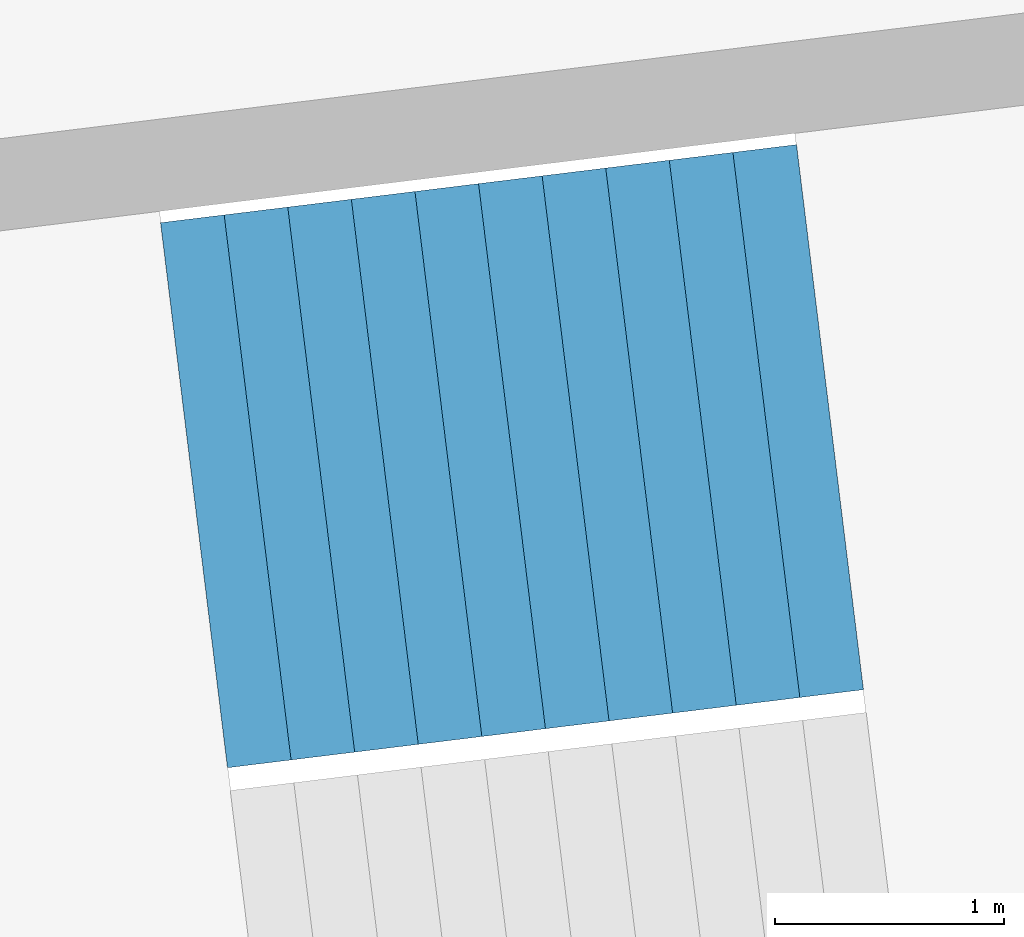
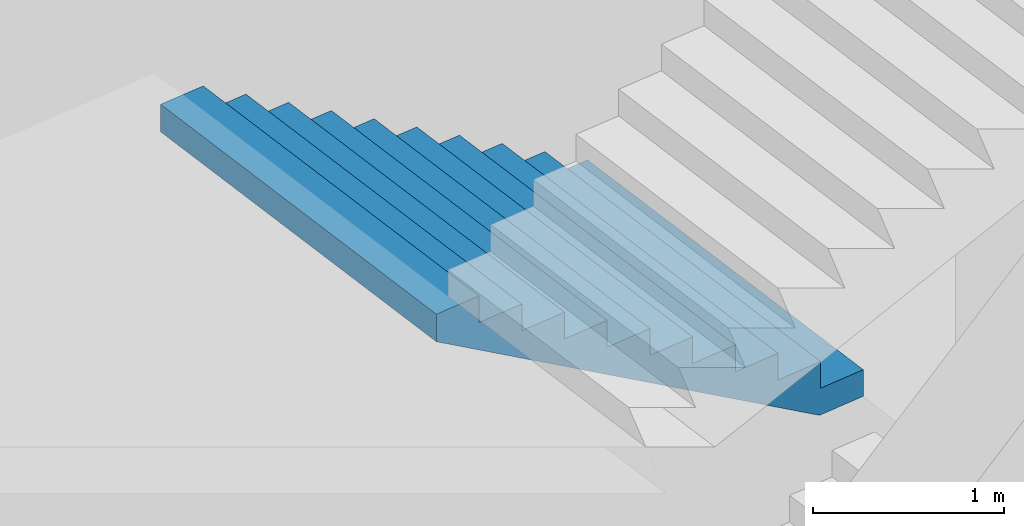
# One storey, part 25 of 73: 1 stair flight, 1 element without a shape of its own.
"""IFC4 building model written with IfcOpenShell, lengths in metres."""

from ifc_helpers import new_model, si_unit, direction, frame, origin, place, context, subcontext, project, spatial, triangles, material, type_object, element, aggregate, save


model = new_model("IFC4")

# Units and contexts
model_context = context("Model", 3, precision=1e-05, world=origin(), true_north=direction((0.0, 1.0)))
body_context = subcontext(model_context, "Body", "Model", "MODEL_VIEW")
ifc_project = project(units=[si_unit("LENGTHUNIT", "METRE"), si_unit("AREAUNIT", "SQUARE_METRE"), si_unit("VOLUMEUNIT", "CUBIC_METRE"), si_unit("PLANEANGLEUNIT", "RADIAN"), si_unit("MASSUNIT", "GRAM", prefix="KILO")], contexts=[model_context])

# Site, building, storey
site_placement = place(None, origin())
site = spatial("IfcSite", under=ifc_project, at=site_placement, CompositionType="ELEMENT")
building_placement = place(site_placement, origin())
building = spatial("IfcBuilding", under=site, at=building_placement, Name="Lantaw Convention Tower", CompositionType="ELEMENT")
storey_placement = place(building_placement, frame((0.0, 0.0, 14.5)))
storey = spatial("IfcBuildingStorey", under=building, at=storey_placement, Name="L02", CompositionType="ELEMENT", Elevation=14.5)

# Stair, stair flight
ifc_material = material(Name="Concrete C35/45", Category="concrete")
stair_type = type_object("IfcStairType", Name="Exit stair 2400 riser 170.45 in 4 flights", PredefinedType="HALF_TURN_STAIR", material=ifc_material)
stair_placement = place(storey_placement, origin())
stair = element("IfcStair", 1, at=stair_placement, inside=storey, type_object=stair_type, Name="Podium exit stair P10 L02", PredefinedType="HALF_TURN_STAIR")
stair_flight_type = type_object("IfcStairFlightType", Name="Stair flight 2400 riser 170.45", PredefinedType="STRAIGHT", material=ifc_material)
stair_flight_placement = place(storey_placement, frame((-35.162109375, -3.057861328125, 3.75), z_axis=(0.0, 0.0, 1.0), x_axis=(-0.992546151641, -0.121869343405, 0.0)))
stair_flight = element("IfcStairFlight", 2, at=stair_flight_placement, type_object=stair_flight_type, Name="P10 flight 3", NumberOfRisers=11, NumberOfTreads=10, PredefinedType="STRAIGHT", RiserHeight=0.170454545, TreadLength=0.28, context=body_context, shape_type="Tessellation", body=[
    triangles([(0.0, 1.199951171875, 0.0), (0.0, 1.199951171875, 0.170454545), (0.28, 1.199951171875, 0.0), (0.28, 1.199951171875, 0.170454545), (0.28, 1.199951171875, 0.34090909), (0.28827876332691904, 1.199951171875, 0.0), (0.28827876332691904, 1.199951171875, 0.34090909), (0.56, 1.199951171875, 0.16541471344266906), (0.56, 1.199951171875, 0.34090909), (0.56, 1.199951171875, 0.511363635), (0.8400000000000001, 1.199951171875, 0.335869258442669), (0.8400000000000001, 1.199951171875, 0.511363635), (0.8400000000000001, 1.199951171875, 0.68181818), (1.12, 1.199951171875, 0.506323803442669), (1.12, 1.199951171875, 0.68181818), (1.12, 1.199951171875, 0.8522727250000001), (1.4000000000000001, 1.199951171875, 0.676778348442669), (1.4000000000000001, 1.199951171875, 0.8522727250000001), (1.4000000000000001, 1.199951171875, 1.02272727), (1.6800000000000002, 1.199951171875, 0.847232893442669), (1.6800000000000002, 1.199951171875, 1.02272727), (1.6800000000000002, 1.199951171875, 1.193181815), (1.9600000000000002, 1.199951171875, 1.017687438442669), (1.9600000000000002, 1.199951171875, 1.193181815), (1.9600000000000002, 1.199951171875, 1.36363636), (2.24, 1.199951171875, 1.188141983442669), (2.24, 1.199951171875, 1.36363636), (2.24, 1.199951171875, 1.5340909050000002), (2.5200000000000005, 1.199951171875, 1.358596528442669), (2.5200000000000005, 1.199951171875, 1.5340909050000002), (2.5200000000000005, 1.199951171875, 1.7045454500000001), (2.8000000000000003, 1.199951171875, 1.529051073442669), (2.8000000000000003, 1.199951171875, 1.7045454500000001), (0.0, -1.199951171875, 0.0), (0.0, -1.199951171875, 0.170454545), (0.28, -1.199951171875, 0.0), (0.28, -1.199951171875, 0.170454545), (0.28, -1.199951171875, 0.34090909), (0.28827876332691904, -1.199951171875, 0.0), (0.28827876332691904, -1.199951171875, 0.34090909), (0.56, -1.199951171875, 0.16541471344266906), (0.56, -1.199951171875, 0.34090909), (0.56, -1.199951171875, 0.511363635), (0.8400000000000001, -1.199951171875, 0.335869258442669), (0.8400000000000001, -1.199951171875, 0.511363635), (0.8400000000000001, -1.199951171875, 0.68181818), (1.12, -1.199951171875, 0.506323803442669), (1.12, -1.199951171875, 0.68181818), (1.12, -1.199951171875, 0.8522727250000001), (1.4000000000000001, -1.199951171875, 0.676778348442669), (1.4000000000000001, -1.199951171875, 0.8522727250000001), (1.4000000000000001, -1.199951171875, 1.02272727), (1.6800000000000002, -1.199951171875, 0.847232893442669), (1.6800000000000002, -1.199951171875, 1.02272727), (1.6800000000000002, -1.199951171875, 1.193181815), (1.9600000000000002, -1.199951171875, 1.017687438442669), (1.9600000000000002, -1.199951171875, 1.193181815), (1.9600000000000002, -1.199951171875, 1.36363636), (2.24, -1.199951171875, 1.188141983442669), (2.24, -1.199951171875, 1.36363636), (2.24, -1.199951171875, 1.5340909050000002), (2.5200000000000005, -1.199951171875, 1.358596528442669), (2.5200000000000005, -1.199951171875, 1.5340909050000002), (2.5200000000000005, -1.199951171875, 1.7045454500000001), (2.8000000000000003, -1.199951171875, 1.529051073442669), (2.8000000000000003, -1.199951171875, 1.7045454500000001), (0.0, 0.239990234375, 0.170454545), (0.0, 0.239990234375, 0.0), (0.0, 0.1199951171875, 0.170454545), (0.0, 0.1199951171875, 0.0), (0.0, 0.0, 0.170454545), (0.0, 0.0, 0.0), (0.0, -0.1199951171875, 0.170454545), (0.0, -0.1199951171875, 0.0), (0.0, -0.239990234375, 0.170454545), (0.0, -0.239990234375, 0.0), (0.28, 0.239990234375, 0.34090909), (0.28, 0.239990234375, 0.170454545), (0.28, 0.1199951171875, 0.34090909), (0.28, 0.1199951171875, 0.170454545), (0.28, 0.0, 0.34090909), (0.28, 0.0, 0.170454545), (0.28, -0.1199951171875, 0.34090909), (0.28, -0.1199951171875, 0.170454545), (0.28, -0.239990234375, 0.34090909), (0.28, -0.239990234375, 0.170454545), (0.56, 0.239990234375, 0.511363635), (0.56, 0.239990234375, 0.34090909), (0.56, 0.1199951171875, 0.511363635), (0.56, 0.1199951171875, 0.34090909), (0.56, 0.0, 0.511363635), (0.56, 0.0, 0.34090909), (0.56, -0.1199951171875, 0.511363635), (0.56, -0.1199951171875, 0.34090909), (0.56, -0.239990234375, 0.511363635), (0.56, -0.239990234375, 0.34090909), (0.8400000000000001, 0.239990234375, 0.68181818), (0.8400000000000001, 0.239990234375, 0.511363635), (0.8400000000000001, 0.1199951171875, 0.68181818), (0.8400000000000001, 0.1199951171875, 0.511363635), (0.8400000000000001, 0.0, 0.68181818), (0.8400000000000001, 0.0, 0.511363635), (0.8400000000000001, -0.1199951171875, 0.68181818), (0.8400000000000001, -0.1199951171875, 0.511363635), (0.8400000000000001, -0.239990234375, 0.68181818), (0.8400000000000001, -0.239990234375, 0.511363635), (1.12, 0.239990234375, 0.8522727250000001), (1.12, 0.239990234375, 0.68181818), (1.12, 0.1199951171875, 0.8522727250000001), (1.12, 0.1199951171875, 0.68181818), (1.12, 0.0, 0.8522727250000001), (1.12, 0.0, 0.68181818), (1.12, -0.1199951171875, 0.8522727250000001), (1.12, -0.1199951171875, 0.68181818), (1.12, -0.239990234375, 0.8522727250000001), (1.12, -0.239990234375, 0.68181818), (1.4000000000000001, 0.239990234375, 1.02272727), (1.4000000000000001, 0.239990234375, 0.8522727250000001), (1.4000000000000001, 0.1199951171875, 1.02272727), (1.4000000000000001, 0.1199951171875, 0.8522727250000001), (1.4000000000000001, 0.0, 1.02272727), (1.4000000000000001, 0.0, 0.8522727250000001), (1.4000000000000001, -0.1199951171875, 1.02272727), (1.4000000000000001, -0.1199951171875, 0.8522727250000001), (1.4000000000000001, -0.239990234375, 1.02272727), (1.4000000000000001, -0.239990234375, 0.8522727250000001), (1.6800000000000002, 0.239990234375, 1.193181815), (1.6800000000000002, 0.239990234375, 1.02272727), (1.6800000000000002, 0.1199951171875, 1.193181815), (1.6800000000000002, 0.1199951171875, 1.02272727), (1.6800000000000002, 0.0, 1.193181815), (1.6800000000000002, 0.0, 1.02272727), (1.6800000000000002, -0.1199951171875, 1.193181815), (1.6800000000000002, -0.1199951171875, 1.02272727), (1.6800000000000002, -0.239990234375, 1.193181815), (1.6800000000000002, -0.239990234375, 1.02272727), (1.9600000000000002, 0.239990234375, 1.36363636), (1.9600000000000002, 0.239990234375, 1.193181815), (1.9600000000000002, 0.1199951171875, 1.36363636), (1.9600000000000002, 0.1199951171875, 1.193181815), (1.9600000000000002, 0.0, 1.36363636), (1.9600000000000002, 0.0, 1.193181815), (1.9600000000000002, -0.1199951171875, 1.36363636), (1.9600000000000002, -0.1199951171875, 1.193181815), (1.9600000000000002, -0.239990234375, 1.36363636), (1.9600000000000002, -0.239990234375, 1.193181815), (2.24, 0.239990234375, 1.5340909050000002), (2.24, 0.239990234375, 1.36363636), (2.24, 0.1199951171875, 1.5340909050000002), (2.24, 0.1199951171875, 1.36363636), (2.24, 0.0, 1.5340909050000002), (2.24, 0.0, 1.36363636), (2.24, -0.1199951171875, 1.5340909050000002), (2.24, -0.1199951171875, 1.36363636), (2.24, -0.239990234375, 1.5340909050000002), (2.24, -0.239990234375, 1.36363636), (2.5200000000000005, 0.239990234375, 1.7045454500000001), (2.5200000000000005, 0.239990234375, 1.5340909050000002), (2.5200000000000005, 0.1199951171875, 1.7045454500000001), (2.5200000000000005, 0.1199951171875, 1.5340909050000002), (2.5200000000000005, 0.0, 1.7045454500000001), (2.5200000000000005, 0.0, 1.5340909050000002), (2.5200000000000005, -0.1199951171875, 1.7045454500000001), (2.5200000000000005, -0.1199951171875, 1.5340909050000002), (2.5200000000000005, -0.239990234375, 1.7045454500000001), (2.5200000000000005, -0.239990234375, 1.5340909050000002), (0.28827876332691904, 0.239990234375, 0.34090909), (0.28827876332691904, 0.1199951171875, 0.34090909), (0.28827876332691904, 0.0, 0.34090909), (0.28827876332691904, -0.1199951171875, 0.34090909), (0.28827876332691904, -0.239990234375, 0.34090909), (2.8000000000000003, 0.239990234375, 1.7045454500000001), (2.8000000000000003, 0.1199951171875, 1.7045454500000001), (2.8000000000000003, 0.0, 1.7045454500000001), (2.8000000000000003, -0.1199951171875, 1.7045454500000001), (2.8000000000000003, -0.239990234375, 1.7045454500000001), (2.8000000000000003, 0.239990234375, 1.5290510734426692), (2.8000000000000003, 0.1199951171875, 1.5290510734426692), (2.8000000000000003, 0.0, 1.5290510734426692), (2.8000000000000003, -0.1199951171875, 1.5290510734426692), (2.8000000000000003, -0.239990234375, 1.5290510734426692), (2.5200000000000005, 0.239990234375, 1.358596528442669), (2.5200000000000005, 0.1199951171875, 1.358596528442669), (2.5200000000000005, 0.0, 1.358596528442669), (2.5200000000000005, -0.1199951171875, 1.358596528442669), (2.5200000000000005, -0.239990234375, 1.358596528442669), (2.24, 0.239990234375, 1.188141983442669), (2.24, 0.1199951171875, 1.188141983442669), (2.24, 0.0, 1.188141983442669), (2.24, -0.1199951171875, 1.188141983442669), (2.24, -0.239990234375, 1.188141983442669), (1.9600000000000002, 0.239990234375, 1.017687438442669), (1.9600000000000002, 0.1199951171875, 1.017687438442669), (1.9600000000000002, 0.0, 1.017687438442669), (1.9600000000000002, -0.1199951171875, 1.017687438442669), (1.9600000000000002, -0.239990234375, 1.017687438442669), (1.6800000000000002, 0.239990234375, 0.847232893442669), (1.6800000000000002, 0.1199951171875, 0.847232893442669), (1.6800000000000002, 0.0, 0.847232893442669), (1.6800000000000002, -0.1199951171875, 0.847232893442669), (1.6800000000000002, -0.239990234375, 0.847232893442669), (1.4000000000000001, 0.239990234375, 0.676778348442669), (1.4000000000000001, 0.1199951171875, 0.676778348442669), (1.4000000000000001, 0.0, 0.676778348442669), (1.4000000000000001, -0.1199951171875, 0.676778348442669), (1.4000000000000001, -0.239990234375, 0.676778348442669), (1.12, 0.239990234375, 0.506323803442669), (1.12, 0.1199951171875, 0.506323803442669), (1.12, 0.0, 0.506323803442669), (1.12, -0.1199951171875, 0.506323803442669), (1.12, -0.239990234375, 0.506323803442669), (0.8400000000000001, 0.239990234375, 0.335869258442669), (0.8400000000000001, 0.1199951171875, 0.335869258442669), (0.8400000000000001, 0.0, 0.335869258442669), (0.8400000000000001, -0.1199951171875, 0.335869258442669), (0.8400000000000001, -0.239990234375, 0.335869258442669), (0.56, 0.239990234375, 0.16541471344266906), (0.56, 0.1199951171875, 0.16541471344266906), (0.56, 0.0, 0.16541471344266906), (0.56, -0.1199951171875, 0.16541471344266906), (0.56, -0.239990234375, 0.16541471344266906), (0.28827876332691904, 0.239990234375, 0.0), (0.28827876332691904, 0.1199951171875, 0.0), (0.28827876332691904, 0.0, 0.0), (0.28827876332691904, -0.1199951171875, 0.0), (0.28827876332691904, -0.239990234375, 0.0), (0.28, 0.239990234375, 0.0), (0.28, 0.1199951171875, 0.0), (0.28, 0.0, 0.0), (0.28, -0.1199951171875, 0.0), (0.28, -0.239990234375, 0.0)], [[1, 4, 3], [1, 2, 4], [3, 4, 6], [4, 7, 6], [4, 5, 7], [6, 9, 8], [6, 7, 9], [8, 9, 11], [9, 12, 11], [9, 10, 12], [11, 12, 14], [12, 15, 14], [12, 13, 15], [14, 15, 17], [15, 18, 17], [15, 16, 18], [17, 18, 20], [18, 21, 20], [18, 19, 21], [20, 21, 23], [21, 24, 23], [21, 22, 24], [23, 24, 26], [24, 27, 26], [24, 25, 27], [26, 27, 29], [27, 30, 29], [27, 28, 30], [29, 30, 32], [30, 33, 32], [30, 31, 33], [34, 36, 37], [34, 37, 35], [36, 39, 37], [37, 39, 40], [37, 40, 38], [39, 41, 42], [39, 42, 40], [41, 44, 42], [42, 44, 45], [42, 45, 43], [44, 47, 45], [45, 47, 48], [45, 48, 46], [47, 50, 48], [48, 50, 51], [48, 51, 49], [50, 53, 51], [51, 53, 54], [51, 54, 52], [53, 56, 54], [54, 56, 57], [54, 57, 55], [56, 59, 57], [57, 59, 60], [57, 60, 58], [59, 62, 60], [60, 62, 63], [60, 63, 61], [62, 65, 63], [63, 65, 66], [63, 66, 64], [1, 67, 2], [1, 68, 67], [68, 69, 67], [68, 70, 69], [70, 71, 69], [70, 72, 71], [72, 73, 71], [72, 74, 73], [74, 75, 73], [74, 76, 75], [76, 35, 75], [76, 34, 35], [4, 77, 5], [4, 78, 77], [78, 79, 77], [78, 80, 79], [80, 81, 79], [80, 82, 81], [82, 83, 81], [82, 84, 83], [84, 85, 83], [84, 86, 85], [86, 38, 85], [86, 37, 38], [9, 87, 10], [9, 88, 87], [88, 89, 87], [88, 90, 89], [90, 91, 89], [90, 92, 91], [92, 93, 91], [92, 94, 93], [94, 95, 93], [94, 96, 95], [96, 43, 95], [96, 42, 43], [12, 97, 13], [12, 98, 97], [98, 99, 97], [98, 100, 99], [100, 101, 99], [100, 102, 101], [102, 103, 101], [102, 104, 103], [104, 105, 103], [104, 106, 105], [106, 46, 105], [106, 45, 46], [15, 107, 16], [15, 108, 107], [108, 109, 107], [108, 110, 109], [110, 111, 109], [110, 112, 111], [112, 113, 111], [112, 114, 113], [114, 115, 113], [114, 116, 115], [116, 49, 115], [116, 48, 49], [18, 117, 19], [18, 118, 117], [118, 119, 117], [118, 120, 119], [120, 121, 119], [120, 122, 121], [122, 123, 121], [122, 124, 123], [124, 125, 123], [124, 126, 125], [126, 52, 125], [126, 51, 52], [21, 127, 22], [21, 128, 127], [128, 129, 127], [128, 130, 129], [130, 131, 129], [130, 132, 131], [132, 133, 131], [132, 134, 133], [134, 135, 133], [134, 136, 135], [136, 55, 135], [136, 54, 55], [24, 137, 25], [24, 138, 137], [138, 139, 137], [138, 140, 139], [140, 141, 139], [140, 142, 141], [142, 143, 141], [142, 144, 143], [144, 145, 143], [144, 146, 145], [146, 58, 145], [146, 57, 58], [27, 147, 28], [27, 148, 147], [148, 149, 147], [148, 150, 149], [150, 151, 149], [150, 152, 151], [152, 153, 151], [152, 154, 153], [154, 155, 153], [154, 156, 155], [156, 61, 155], [156, 60, 61], [30, 157, 31], [30, 158, 157], [158, 159, 157], [158, 160, 159], [160, 161, 159], [160, 162, 161], [162, 163, 161], [162, 164, 163], [164, 165, 163], [164, 166, 165], [166, 64, 165], [166, 63, 64], [2, 78, 4], [2, 67, 78], [67, 80, 78], [67, 69, 80], [69, 82, 80], [69, 71, 82], [71, 84, 82], [71, 73, 84], [73, 86, 84], [73, 75, 86], [75, 37, 86], [75, 35, 37], [5, 167, 7], [5, 77, 167], [77, 168, 167], [77, 79, 168], [79, 169, 168], [79, 81, 169], [81, 170, 169], [81, 83, 170], [83, 171, 170], [83, 85, 171], [85, 40, 171], [85, 38, 40], [7, 88, 9], [7, 167, 88], [167, 90, 88], [167, 168, 90], [168, 92, 90], [168, 169, 92], [169, 94, 92], [169, 170, 94], [170, 96, 94], [170, 171, 96], [171, 42, 96], [171, 40, 42], [10, 98, 12], [10, 87, 98], [87, 100, 98], [87, 89, 100], [89, 102, 100], [89, 91, 102], [91, 104, 102], [91, 93, 104], [93, 106, 104], [93, 95, 106], [95, 45, 106], [95, 43, 45], [13, 108, 15], [13, 97, 108], [97, 110, 108], [97, 99, 110], [99, 112, 110], [99, 101, 112], [101, 114, 112], [101, 103, 114], [103, 116, 114], [103, 105, 116], [105, 48, 116], [105, 46, 48], [16, 118, 18], [16, 107, 118], [107, 120, 118], [107, 109, 120], [109, 122, 120], [109, 111, 122], [111, 124, 122], [111, 113, 124], [113, 126, 124], [113, 115, 126], [115, 51, 126], [115, 49, 51], [19, 128, 21], [19, 117, 128], [117, 130, 128], [117, 119, 130], [119, 132, 130], [119, 121, 132], [121, 134, 132], [121, 123, 134], [123, 136, 134], [123, 125, 136], [125, 54, 136], [125, 52, 54], [22, 138, 24], [22, 127, 138], [127, 140, 138], [127, 129, 140], [129, 142, 140], [129, 131, 142], [131, 144, 142], [131, 133, 144], [133, 146, 144], [133, 135, 146], [135, 57, 146], [135, 55, 57], [25, 148, 27], [25, 137, 148], [137, 150, 148], [137, 139, 150], [139, 152, 150], [139, 141, 152], [141, 154, 152], [141, 143, 154], [143, 156, 154], [143, 145, 156], [145, 60, 156], [145, 58, 60], [28, 158, 30], [28, 147, 158], [147, 160, 158], [147, 149, 160], [149, 162, 160], [149, 151, 162], [151, 164, 162], [151, 153, 164], [153, 166, 164], [153, 155, 166], [155, 63, 166], [155, 61, 63], [31, 172, 33], [31, 157, 172], [157, 173, 172], [157, 159, 173], [159, 174, 173], [159, 161, 174], [161, 175, 174], [161, 163, 175], [163, 176, 175], [163, 165, 176], [165, 66, 176], [165, 64, 66], [33, 177, 32], [33, 172, 177], [172, 178, 177], [172, 173, 178], [173, 179, 178], [173, 174, 179], [174, 180, 179], [174, 175, 180], [175, 181, 180], [175, 176, 181], [176, 65, 181], [176, 66, 65], [32, 182, 29], [32, 177, 182], [177, 183, 182], [177, 178, 183], [178, 184, 183], [178, 179, 184], [179, 185, 184], [179, 180, 185], [180, 186, 185], [180, 181, 186], [181, 62, 186], [181, 65, 62], [29, 187, 26], [29, 182, 187], [182, 188, 187], [182, 183, 188], [183, 189, 188], [183, 184, 189], [184, 190, 189], [184, 185, 190], [185, 191, 190], [185, 186, 191], [186, 59, 191], [186, 62, 59], [26, 192, 23], [26, 187, 192], [187, 193, 192], [187, 188, 193], [188, 194, 193], [188, 189, 194], [189, 195, 194], [189, 190, 195], [190, 196, 195], [190, 191, 196], [191, 56, 196], [191, 59, 56], [23, 197, 20], [23, 192, 197], [192, 198, 197], [192, 193, 198], [193, 199, 198], [193, 194, 199], [194, 200, 199], [194, 195, 200], [195, 201, 200], [195, 196, 201], [196, 53, 201], [196, 56, 53], [20, 202, 17], [20, 197, 202], [197, 203, 202], [197, 198, 203], [198, 204, 203], [198, 199, 204], [199, 205, 204], [199, 200, 205], [200, 206, 205], [200, 201, 206], [201, 50, 206], [201, 53, 50], [17, 207, 14], [17, 202, 207], [202, 208, 207], [202, 203, 208], [203, 209, 208], [203, 204, 209], [204, 210, 209], [204, 205, 210], [205, 211, 210], [205, 206, 211], [206, 47, 211], [206, 50, 47], [14, 212, 11], [14, 207, 212], [207, 213, 212], [207, 208, 213], [208, 214, 213], [208, 209, 214], [209, 215, 214], [209, 210, 215], [210, 216, 215], [210, 211, 216], [211, 44, 216], [211, 47, 44], [11, 217, 8], [11, 212, 217], [212, 218, 217], [212, 213, 218], [213, 219, 218], [213, 214, 219], [214, 220, 219], [214, 215, 220], [215, 221, 220], [215, 216, 221], [216, 41, 221], [216, 44, 41], [8, 222, 6], [8, 217, 222], [217, 223, 222], [217, 218, 223], [218, 224, 223], [218, 219, 224], [219, 225, 224], [219, 220, 225], [220, 226, 225], [220, 221, 226], [221, 39, 226], [221, 41, 39], [6, 227, 3], [6, 222, 227], [222, 228, 227], [222, 223, 228], [223, 229, 228], [223, 224, 229], [224, 230, 229], [224, 225, 230], [225, 231, 230], [225, 226, 231], [226, 36, 231], [226, 39, 36], [3, 68, 1], [3, 227, 68], [227, 70, 68], [227, 228, 70], [228, 72, 70], [228, 229, 72], [229, 74, 72], [229, 230, 74], [230, 76, 74], [230, 231, 76], [231, 34, 76], [231, 36, 34]], closed=True),
])
aggregate(stair, [stair_flight])

save(model, "model.ifc")
